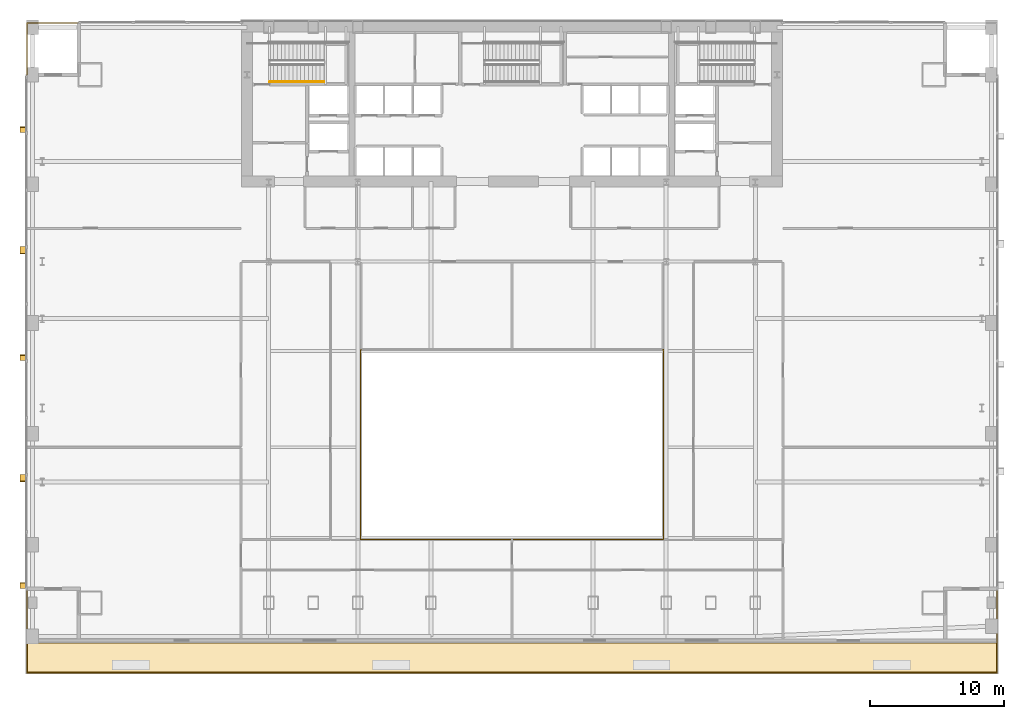
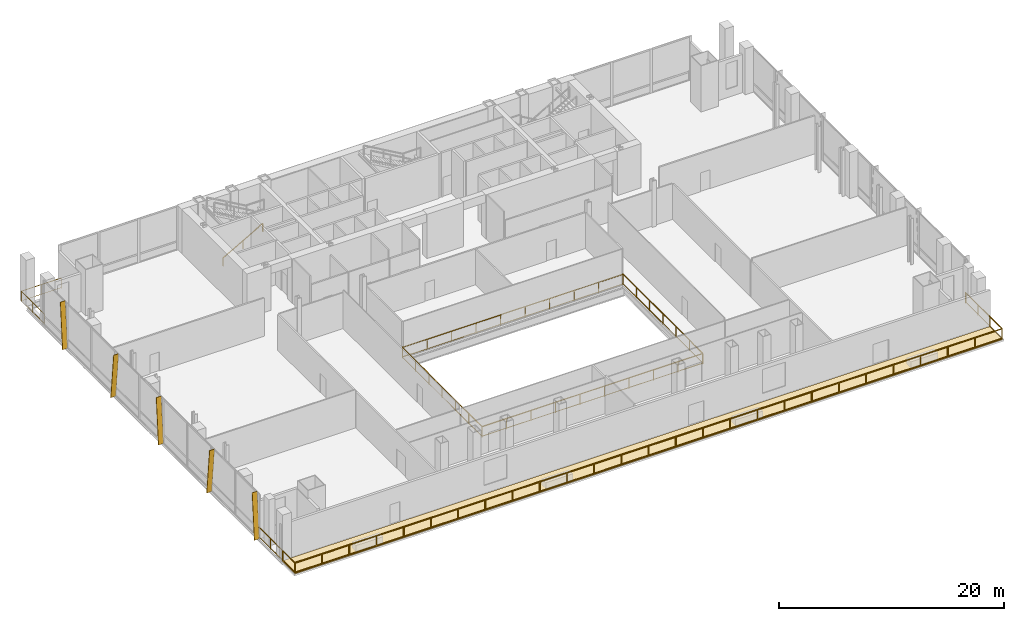
# One storey, part 24 of 26: 5 railings, 5 shading devices, 1 covering.
"""IFC4 building model written with IfcOpenShell, lengths in metres."""

from ifc_helpers import new_model, si_unit, direction, frame, origin, origin_2d, place, context, subcontext, project, spatial, polyline, rectangle, outline, extrude, material, layer, layer_set, type_object, element, save


model = new_model("IFC4")

# Units and contexts
model_context = context("Model", 3, precision=1e-05, world=origin(), true_north=direction((0.0, 1.0)))
body_context = subcontext(model_context, "Body", "Model", "MODEL_VIEW")
ifc_project = project(units=[si_unit("LENGTHUNIT", "METRE"), si_unit("AREAUNIT", "SQUARE_METRE"), si_unit("VOLUMEUNIT", "CUBIC_METRE"), si_unit("PLANEANGLEUNIT", "RADIAN"), si_unit("MASSUNIT", "GRAM", prefix="KILO")], contexts=[model_context])

# Site, building, storey
site_placement = place(None, origin())
site = spatial("IfcSite", under=ifc_project, at=site_placement, CompositionType="ELEMENT")
building_placement = place(site_placement, origin())
building = spatial("IfcBuilding", under=site, at=building_placement, Name="Khoronbel Lancet Exchange", CompositionType="ELEMENT")
storey_placement = place(building_placement, frame((0.0, 0.0, 5.39990234375)))
storey = spatial("IfcBuildingStorey", under=building, at=storey_placement, Name="L01", CompositionType="ELEMENT", Elevation=5.39990234375)

# Covering
ifc_material_1 = material(Name="Standing-Seam Bronze & SBS Waterproofing Assembly", Category="aluminium")
ifc_layer_1 = layer(ifc_material_1, 0.080078125, Name="Standing-Seam Bronze & SBS Waterproofing Assembly")
ifc_layer_set_1 = layer_set([ifc_layer_1], Name="Standing-Seam Bronze & SBS Waterproofing Assembly")
covering_type = type_object("IfcCoveringType", Name="COV-ROOF1", PredefinedType="ROOFING", material=ifc_layer_set_1)
covering_placement = place(storey_placement, frame((0.0, 0.0, -0.079833984375)))
element("IfcCovering", 1, at=covering_placement, inside=storey, type_object=covering_type, Name="Level L01 cascading terrace waterproofing and stone deck", PredefinedType="ROOFING", context=body_context, shape_type="SweptSolid", body=[
    extrude(outline(polyline([(0.10009765625, 4.85009765625), (72.800048828125, 4.85009765625), (72.800048828125, 7.14990234375), (0.10009765625, 7.14990234375), (0.10009765625, 4.85009765625)])), origin(), (0.0, 0.0, 1.0), 0.079833984375),
])

# Railings
ifc_material_2 = material(Name="Bronze-Anodised Stainless Steel", Category="steel")
railing_type_1 = type_object("IfcRailingType", Name="RL-EXT115", PredefinedType="GUARDRAIL", material=ifc_material_2)
railing_1_placement = place(storey_placement, frame((0.1201171875, 11.39990234375, 0.0)))
element("IfcRailing", 2, at=railing_1_placement, inside=storey, type_object=railing_type_1, Name="Level L01 cascading garden terrace and south corner loggia guardrail", PredefinedType="GUARDRAIL", context=body_context, shape_type="SweptSolid", body=[
    extrude(rectangle(XDim=0.052001953125, YDim=0.052001953125, at=origin_2d()), frame((0.0, 0.0, 1.1240234375), z_axis=(0.0, -1.0, 0.0), x_axis=(1.0, 0.0, 0.0)), (0.0, 0.0, 1.0), 6.47998046875),
    extrude(rectangle(XDim=0.02587890625, YDim=0.02587890625, at=origin_2d()), frame((0.0, 0.0, 0.080078125), z_axis=(0.0, -1.0, 0.0), x_axis=(1.0, 0.0, 0.0)), (0.0, 0.0, 1.0), 6.47998046875),
    extrude(rectangle(XDim=0.052001953125, YDim=0.052001953125, at=origin_2d()), frame((0.0, -6.47998046875, 1.1240234375), z_axis=(1.0, 0.0, 0.0), x_axis=(0.0, 1.0, 0.0)), (0.0, 0.0, 1.0), 72.659912109375),
    extrude(rectangle(XDim=0.02587890625, YDim=0.02587890625, at=origin_2d()), frame((0.0, -6.47998046875, 0.080078125), z_axis=(1.0, 0.0, 0.0), x_axis=(0.0, 1.0, 0.0)), (0.0, 0.0, 1.0), 72.659912109375),
    extrude(rectangle(XDim=0.052001953125, YDim=0.052001953125, at=origin_2d()), frame((72.659912109375, -6.47998046875, 1.1240234375), z_axis=(0.0, 1.0, 0.0), x_axis=(-1.0, 0.0, 0.0)), (0.0, 0.0, 1.0), 6.47998046875),
    extrude(rectangle(XDim=0.02587890625, YDim=0.02587890625, at=origin_2d()), frame((72.659912109375, -6.47998046875, 0.080078125), z_axis=(0.0, 1.0, 0.0), x_axis=(-1.0, 0.0, 0.0)), (0.0, 0.0, 1.0), 6.47998046875),
    extrude(rectangle(XDim=0.0419921875, YDim=0.0419921875, at=origin_2d()), origin(), (0.0, 0.0, 1.0), 1.097900390625),
    extrude(rectangle(XDim=0.0419921875, YDim=0.0419921875, at=origin_2d()), frame((0.0, -2.159912109375, 0.0)), (0.0, 0.0, 1.0), 1.097900390625),
    extrude(rectangle(XDim=0.0419921875, YDim=0.0419921875, at=origin_2d()), frame((0.0, -4.320068359375, 0.0)), (0.0, 0.0, 1.0), 1.097900390625),
    extrude(rectangle(XDim=0.0419921875, YDim=0.0419921875, at=origin_2d()), frame((0.0, -6.47998046875, 0.0)), (0.0, 0.0, 1.0), 1.097900390625),
    extrude(rectangle(XDim=0.0419921875, YDim=0.0419921875, at=origin_2d()), frame((2.794677734375, -6.47998046875, 0.0)), (0.0, 0.0, 1.0), 1.097900390625),
    extrude(rectangle(XDim=0.0419921875, YDim=0.0419921875, at=origin_2d()), frame((5.589111328125, -6.47998046875, 0.0)), (0.0, 0.0, 1.0), 1.097900390625),
    extrude(rectangle(XDim=0.0419921875, YDim=0.0419921875, at=origin_2d()), frame((8.3837890625, -6.47998046875, 0.0)), (0.0, 0.0, 1.0), 1.097900390625),
    extrude(rectangle(XDim=0.0419921875, YDim=0.0419921875, at=origin_2d()), frame((11.178466796875, -6.47998046875, 0.0)), (0.0, 0.0, 1.0), 1.097900390625),
    extrude(rectangle(XDim=0.0419921875, YDim=0.0419921875, at=origin_2d()), frame((13.97314453125, -6.47998046875, 0.0)), (0.0, 0.0, 1.0), 1.097900390625),
    extrude(rectangle(XDim=0.0419921875, YDim=0.0419921875, at=origin_2d()), frame((16.767578125, -6.47998046875, 0.0)), (0.0, 0.0, 1.0), 1.097900390625),
    extrude(rectangle(XDim=0.0419921875, YDim=0.0419921875, at=origin_2d()), frame((19.562255859375, -6.47998046875, 0.0)), (0.0, 0.0, 1.0), 1.097900390625),
    extrude(rectangle(XDim=0.0419921875, YDim=0.0419921875, at=origin_2d()), frame((22.35693359375, -6.47998046875, 0.0)), (0.0, 0.0, 1.0), 1.097900390625),
    extrude(rectangle(XDim=0.0419921875, YDim=0.0419921875, at=origin_2d()), frame((25.151611328125, -6.47998046875, 0.0)), (0.0, 0.0, 1.0), 1.097900390625),
    extrude(rectangle(XDim=0.0419921875, YDim=0.0419921875, at=origin_2d()), frame((27.946044921875, -6.47998046875, 0.0)), (0.0, 0.0, 1.0), 1.097900390625),
    extrude(rectangle(XDim=0.0419921875, YDim=0.0419921875, at=origin_2d()), frame((30.74072265625, -6.47998046875, 0.0)), (0.0, 0.0, 1.0), 1.097900390625),
    extrude(rectangle(XDim=0.0419921875, YDim=0.0419921875, at=origin_2d()), frame((33.535400390625, -6.47998046875, 0.0)), (0.0, 0.0, 1.0), 1.097900390625),
    extrude(rectangle(XDim=0.0419921875, YDim=0.0419921875, at=origin_2d()), frame((36.330078125, -6.47998046875, 0.0)), (0.0, 0.0, 1.0), 1.097900390625),
    extrude(rectangle(XDim=0.0419921875, YDim=0.0419921875, at=origin_2d()), frame((39.12451171875, -6.47998046875, 0.0)), (0.0, 0.0, 1.0), 1.097900390625),
    extrude(rectangle(XDim=0.0419921875, YDim=0.0419921875, at=origin_2d()), frame((41.919189453125, -6.47998046875, 0.0)), (0.0, 0.0, 1.0), 1.097900390625),
    extrude(rectangle(XDim=0.0419921875, YDim=0.0419921875, at=origin_2d()), frame((44.7138671875, -6.47998046875, 0.0)), (0.0, 0.0, 1.0), 1.097900390625),
    extrude(rectangle(XDim=0.0419921875, YDim=0.0419921875, at=origin_2d()), frame((47.50830078125, -6.47998046875, 0.0)), (0.0, 0.0, 1.0), 1.097900390625),
    extrude(rectangle(XDim=0.0419921875, YDim=0.0419921875, at=origin_2d()), frame((50.302978515625, -6.47998046875, 0.0)), (0.0, 0.0, 1.0), 1.097900390625),
    extrude(rectangle(XDim=0.0419921875, YDim=0.0419921875, at=origin_2d()), frame((53.09765625, -6.47998046875, 0.0)), (0.0, 0.0, 1.0), 1.097900390625),
    extrude(rectangle(XDim=0.0419921875, YDim=0.0419921875, at=origin_2d()), frame((55.892333984375, -6.47998046875, 0.0)), (0.0, 0.0, 1.0), 1.097900390625),
    extrude(rectangle(XDim=0.0419921875, YDim=0.0419921875, at=origin_2d()), frame((58.686767578125, -6.47998046875, 0.0)), (0.0, 0.0, 1.0), 1.097900390625),
    extrude(rectangle(XDim=0.0419921875, YDim=0.0419921875, at=origin_2d()), frame((61.4814453125, -6.47998046875, 0.0)), (0.0, 0.0, 1.0), 1.097900390625),
    extrude(rectangle(XDim=0.0419921875, YDim=0.0419921875, at=origin_2d()), frame((64.276123046875, -6.47998046875, 0.0)), (0.0, 0.0, 1.0), 1.097900390625),
    extrude(rectangle(XDim=0.0419921875, YDim=0.0419921875, at=origin_2d()), frame((67.07080078125, -6.47998046875, 0.0)), (0.0, 0.0, 1.0), 1.097900390625),
    extrude(rectangle(XDim=0.0419921875, YDim=0.0419921875, at=origin_2d()), frame((69.865234375, -6.47998046875, 0.0)), (0.0, 0.0, 1.0), 1.097900390625),
    extrude(rectangle(XDim=0.0419921875, YDim=0.0419921875, at=origin_2d()), frame((72.659912109375, -6.47998046875, 0.0)), (0.0, 0.0, 1.0), 1.097900390625),
    extrude(rectangle(XDim=0.0419921875, YDim=0.0419921875, at=origin_2d()), frame((72.659912109375, -4.320068359375, 0.0)), (0.0, 0.0, 1.0), 1.097900390625),
    extrude(rectangle(XDim=0.0419921875, YDim=0.0419921875, at=origin_2d()), frame((72.659912109375, -2.159912109375, 0.0)), (0.0, 0.0, 1.0), 1.097900390625),
    extrude(rectangle(XDim=0.0419921875, YDim=0.0419921875, at=origin_2d()), frame((72.659912109375, 0.0, 0.0)), (0.0, 0.0, 1.0), 1.097900390625),
])
railing_2_placement = place(storey_placement, frame((0.1201171875, 49.5, 0.0)))
element("IfcRailing", 3, at=railing_2_placement, inside=storey, type_object=railing_type_1, Name="Level L01 north-west colonnade corner loggia guardrail", PredefinedType="GUARDRAIL", context=body_context, shape_type="SweptSolid", body=[
    extrude(rectangle(XDim=0.052001953125, YDim=0.052001953125, at=origin_2d()), frame((0.0, 0.0, 1.1240234375), z_axis=(0.0, 1.0, 0.0), x_axis=(-1.0, 0.0, 0.0)), (0.0, 0.0, 1.0), 4.080078125),
    extrude(rectangle(XDim=0.02587890625, YDim=0.02587890625, at=origin_2d()), frame((0.0, 0.0, 0.080078125), z_axis=(0.0, 1.0, 0.0), x_axis=(-1.0, 0.0, 0.0)), (0.0, 0.0, 1.0), 4.080078125),
    extrude(rectangle(XDim=0.052001953125, YDim=0.052001953125, at=origin_2d()), frame((0.0, 4.080078125, 1.1240234375), z_axis=(1.0, 0.0, 0.0), x_axis=(0.0, 1.0, 0.0)), (0.0, 0.0, 1.0), 4.079833984375),
    extrude(rectangle(XDim=0.02587890625, YDim=0.02587890625, at=origin_2d()), frame((0.0, 4.080078125, 0.080078125), z_axis=(1.0, 0.0, 0.0), x_axis=(0.0, 1.0, 0.0)), (0.0, 0.0, 1.0), 4.079833984375),
    extrude(rectangle(XDim=0.0419921875, YDim=0.0419921875, at=origin_2d()), origin(), (0.0, 0.0, 1.0), 1.097900390625),
    extrude(rectangle(XDim=0.0419921875, YDim=0.0419921875, at=origin_2d()), frame((0.0, 2.0400390625, 0.0)), (0.0, 0.0, 1.0), 1.097900390625),
    extrude(rectangle(XDim=0.0419921875, YDim=0.0419921875, at=origin_2d()), frame((0.0, 4.080078125, 0.0)), (0.0, 0.0, 1.0), 1.097900390625),
    extrude(rectangle(XDim=0.0419921875, YDim=0.0419921875, at=origin_2d()), frame((2.0400390625, 4.080078125, 0.0)), (0.0, 0.0, 1.0), 1.097900390625),
    extrude(rectangle(XDim=0.0419921875, YDim=0.0419921875, at=origin_2d()), frame((4.079833984375, 4.080078125, 0.0)), (0.0, 0.0, 1.0), 1.097900390625),
])
ifc_material_3 = material(Name="Laminated Glass & Bronze Balustrade", Category="glass")
railing_type_2 = type_object("IfcRailingType", Name="RL-INT115", PredefinedType="BALUSTRADE", material=ifc_material_3)
railing_3_placement = place(storey_placement, frame((25.10009765625, 29.06005859375, 0.0)))
element("IfcRailing", 4, at=railing_3_placement, inside=storey, type_object=railing_type_2, Name="Level L01 gallery void safety balustrade SW", PredefinedType="BALUSTRADE", context=body_context, shape_type="SweptSolid", body=[
    extrude(rectangle(XDim=0.052001953125, YDim=0.052001953125, at=origin_2d()), frame((0.0, 0.0, 1.1240234375), z_axis=(0.0, -1.0, 0.0), x_axis=(1.0, 0.0, 0.0)), (0.0, 0.0, 1.0), 14.16015625),
    extrude(rectangle(XDim=0.02587890625, YDim=0.02587890625, at=origin_2d()), frame((0.0, 0.0, 0.080078125), z_axis=(0.0, -1.0, 0.0), x_axis=(1.0, 0.0, 0.0)), (0.0, 0.0, 1.0), 14.16015625),
    extrude(rectangle(XDim=0.052001953125, YDim=0.052001953125, at=origin_2d()), frame((0.0, -14.16015625, 1.1240234375), z_axis=(1.0, 0.0, 0.0), x_axis=(0.0, 1.0, 0.0)), (0.0, 0.0, 1.0), 22.659912109375),
    extrude(rectangle(XDim=0.02587890625, YDim=0.02587890625, at=origin_2d()), frame((0.0, -14.16015625, 0.080078125), z_axis=(1.0, 0.0, 0.0), x_axis=(0.0, 1.0, 0.0)), (0.0, 0.0, 1.0), 22.659912109375),
    extrude(rectangle(XDim=0.0419921875, YDim=0.0419921875, at=origin_2d()), origin(), (0.0, 0.0, 1.0), 1.097900390625),
    extrude(rectangle(XDim=0.0419921875, YDim=0.0419921875, at=origin_2d()), frame((0.0, -2.360107421875, 0.0)), (0.0, 0.0, 1.0), 1.097900390625),
    extrude(rectangle(XDim=0.0419921875, YDim=0.0419921875, at=origin_2d()), frame((0.0, -4.719970703125, 0.0)), (0.0, 0.0, 1.0), 1.097900390625),
    extrude(rectangle(XDim=0.0419921875, YDim=0.0419921875, at=origin_2d()), frame((0.0, -7.080078125, 0.0)), (0.0, 0.0, 1.0), 1.097900390625),
    extrude(rectangle(XDim=0.0419921875, YDim=0.0419921875, at=origin_2d()), frame((0.0, -9.440185546875, 0.0)), (0.0, 0.0, 1.0), 1.097900390625),
    extrude(rectangle(XDim=0.0419921875, YDim=0.0419921875, at=origin_2d()), frame((0.0, -11.800048828125, 0.0)), (0.0, 0.0, 1.0), 1.097900390625),
    extrude(rectangle(XDim=0.0419921875, YDim=0.0419921875, at=origin_2d()), frame((0.0, -14.16015625, 0.0)), (0.0, 0.0, 1.0), 1.097900390625),
    extrude(rectangle(XDim=0.0419921875, YDim=0.0419921875, at=origin_2d()), frame((2.517822265625, -14.16015625, 0.0)), (0.0, 0.0, 1.0), 1.097900390625),
    extrude(rectangle(XDim=0.0419921875, YDim=0.0419921875, at=origin_2d()), frame((5.03564453125, -14.16015625, 0.0)), (0.0, 0.0, 1.0), 1.097900390625),
    extrude(rectangle(XDim=0.0419921875, YDim=0.0419921875, at=origin_2d()), frame((7.55322265625, -14.16015625, 0.0)), (0.0, 0.0, 1.0), 1.097900390625),
    extrude(rectangle(XDim=0.0419921875, YDim=0.0419921875, at=origin_2d()), frame((10.071044921875, -14.16015625, 0.0)), (0.0, 0.0, 1.0), 1.097900390625),
    extrude(rectangle(XDim=0.0419921875, YDim=0.0419921875, at=origin_2d()), frame((12.5888671875, -14.16015625, 0.0)), (0.0, 0.0, 1.0), 1.097900390625),
    extrude(rectangle(XDim=0.0419921875, YDim=0.0419921875, at=origin_2d()), frame((15.106689453125, -14.16015625, 0.0)), (0.0, 0.0, 1.0), 1.097900390625),
    extrude(rectangle(XDim=0.0419921875, YDim=0.0419921875, at=origin_2d()), frame((17.624267578125, -14.16015625, 0.0)), (0.0, 0.0, 1.0), 1.097900390625),
    extrude(rectangle(XDim=0.0419921875, YDim=0.0419921875, at=origin_2d()), frame((20.14208984375, -14.16015625, 0.0)), (0.0, 0.0, 1.0), 1.097900390625),
    extrude(rectangle(XDim=0.0419921875, YDim=0.0419921875, at=origin_2d()), frame((22.659912109375, -14.16015625, 0.0)), (0.0, 0.0, 1.0), 1.097900390625),
])
railing_4_placement = place(storey_placement, frame((25.139892578125, 29.10009765625, 0.0)))
element("IfcRailing", 5, at=railing_4_placement, inside=storey, type_object=railing_type_2, Name="Level L01 gallery void safety balustrade NE", PredefinedType="BALUSTRADE", context=body_context, shape_type="SweptSolid", body=[
    extrude(rectangle(XDim=0.052001953125, YDim=0.052001953125, at=origin_2d()), frame((0.0, 0.0, 1.1240234375), z_axis=(1.0, 0.0, 0.0), x_axis=(0.0, 1.0, 0.0)), (0.0, 0.0, 1.0), 22.66015625),
    extrude(rectangle(XDim=0.02587890625, YDim=0.02587890625, at=origin_2d()), frame((0.0, 0.0, 0.080078125), z_axis=(1.0, 0.0, 0.0), x_axis=(0.0, 1.0, 0.0)), (0.0, 0.0, 1.0), 22.66015625),
    extrude(rectangle(XDim=0.052001953125, YDim=0.052001953125, at=origin_2d()), frame((22.66015625, 0.0, 1.1240234375), z_axis=(0.0, -1.0, 0.0), x_axis=(1.0, 0.0, 0.0)), (0.0, 0.0, 1.0), 14.16015625),
    extrude(rectangle(XDim=0.02587890625, YDim=0.02587890625, at=origin_2d()), frame((22.66015625, 0.0, 0.080078125), z_axis=(0.0, -1.0, 0.0), x_axis=(1.0, 0.0, 0.0)), (0.0, 0.0, 1.0), 14.16015625),
    extrude(rectangle(XDim=0.0419921875, YDim=0.0419921875, at=origin_2d()), origin(), (0.0, 0.0, 1.0), 1.097900390625),
    extrude(rectangle(XDim=0.0419921875, YDim=0.0419921875, at=origin_2d()), frame((2.517822265625, 0.0, 0.0)), (0.0, 0.0, 1.0), 1.097900390625),
    extrude(rectangle(XDim=0.0419921875, YDim=0.0419921875, at=origin_2d()), frame((5.03564453125, 0.0, 0.0)), (0.0, 0.0, 1.0), 1.097900390625),
    extrude(rectangle(XDim=0.0419921875, YDim=0.0419921875, at=origin_2d()), frame((7.553466796875, 0.0, 0.0)), (0.0, 0.0, 1.0), 1.097900390625),
    extrude(rectangle(XDim=0.0419921875, YDim=0.0419921875, at=origin_2d()), frame((10.0712890625, 0.0, 0.0)), (0.0, 0.0, 1.0), 1.097900390625),
    extrude(rectangle(XDim=0.0419921875, YDim=0.0419921875, at=origin_2d()), frame((12.5888671875, 0.0, 0.0)), (0.0, 0.0, 1.0), 1.097900390625),
    extrude(rectangle(XDim=0.0419921875, YDim=0.0419921875, at=origin_2d()), frame((15.106689453125, 0.0, 0.0)), (0.0, 0.0, 1.0), 1.097900390625),
    extrude(rectangle(XDim=0.0419921875, YDim=0.0419921875, at=origin_2d()), frame((17.62451171875, 0.0, 0.0)), (0.0, 0.0, 1.0), 1.097900390625),
    extrude(rectangle(XDim=0.0419921875, YDim=0.0419921875, at=origin_2d()), frame((20.142333984375, 0.0, 0.0)), (0.0, 0.0, 1.0), 1.097900390625),
    extrude(rectangle(XDim=0.0419921875, YDim=0.0419921875, at=origin_2d()), frame((22.66015625, 0.0, 0.0)), (0.0, 0.0, 1.0), 1.097900390625),
    extrude(rectangle(XDim=0.0419921875, YDim=0.0419921875, at=origin_2d()), frame((22.66015625, -2.360107421875, 0.0)), (0.0, 0.0, 1.0), 1.097900390625),
    extrude(rectangle(XDim=0.0419921875, YDim=0.0419921875, at=origin_2d()), frame((22.66015625, -4.719970703125, 0.0)), (0.0, 0.0, 1.0), 1.097900390625),
    extrude(rectangle(XDim=0.0419921875, YDim=0.0419921875, at=origin_2d()), frame((22.66015625, -7.080078125, 0.0)), (0.0, 0.0, 1.0), 1.097900390625),
    extrude(rectangle(XDim=0.0419921875, YDim=0.0419921875, at=origin_2d()), frame((22.66015625, -9.440185546875, 0.0)), (0.0, 0.0, 1.0), 1.097900390625),
    extrude(rectangle(XDim=0.0419921875, YDim=0.0419921875, at=origin_2d()), frame((22.66015625, -11.800048828125, 0.0)), (0.0, 0.0, 1.0), 1.097900390625),
    extrude(rectangle(XDim=0.0419921875, YDim=0.0419921875, at=origin_2d()), frame((22.66015625, -14.16015625, 0.0)), (0.0, 0.0, 1.0), 1.097900390625),
])
ifc_material_4 = material(Name="Brushed Stainless Steel 316", Category="steel")
railing_type_3 = type_object("IfcRailingType", Name="RL-STH92", PredefinedType="HANDRAIL", material=ifc_material_4)
railing_5_placement = place(storey_placement, frame((18.300048828125, 49.169921875, 0.166748046875)))
element("IfcRailing", 6, at=railing_5_placement, inside=storey, type_object=railing_type_3, Name="L01 ST1 stair handrail 1", PredefinedType="HANDRAIL", context=body_context, shape_type="SweptSolid", body=[
    extrude(rectangle(XDim=0.048095703125, YDim=0.048095703125, at=origin_2d()), frame((0.0, 0.0, 0.8759765625), z_axis=(0.867024558463, 0.0, 0.498265406207), x_axis=(0.0, 1.0, 0.0)), (0.0, 0.0, 1.0), 4.682861328125),
    extrude(rectangle(XDim=0.0419921875, YDim=0.0419921875, at=origin_2d()), origin(), (0.0, 0.0, 1.0), 0.851806640625),
    extrude(rectangle(XDim=0.0419921875, YDim=0.0419921875, at=origin_2d()), frame((2.030029296875, 0.0, 1.16650390625)), (0.0, 0.0, 1.0), 0.851806640625),
    extrude(rectangle(XDim=0.0419921875, YDim=0.0419921875, at=origin_2d()), frame((4.06005859375, 0.0, 2.333251953125)), (0.0, 0.0, 1.0), 0.851806640625),
])

# Shading devices
ifc_material_5 = material(Name="Bronze-Anodised Aluminium 6063-T6", Category="aluminium")
ifc_layer_2 = layer(ifc_material_5, 0.054931640625, Name="Bronze-Anodised Aluminium 6063-T6")
ifc_layer_set_2 = layer_set([ifc_layer_2], Name="Bronze-Anodised Aluminium 6063-T6")
shading_device_type = type_object("IfcShadingDeviceType", Name="SHD-FIN1", PredefinedType="USERDEFINED", material=ifc_layer_set_2)
shading_device_1_placement = place(storey_placement, frame((0.1201171875, 45.36083984375, -0.079833984375), z_axis=(0.0, -0.996792274735, 0.080032249927), x_axis=(-1.0, 0.0, 0.0)))
element("IfcShadingDevice", 7, at=shading_device_1_placement, inside=storey, type_object=shading_device_type, Name="Slanted bronze solar fin CW-L01-WEST-1", ObjectType="FIN", PredefinedType="USERDEFINED", context=body_context, shape_type="SweptSolid", body=[
    extrude(outline(polyline([(0.0, 0.0), (0.52001953125, 0.0), (0.52001953125, -4.935791015625), (0.0, -4.935791015625), (0.0, 0.0)])), origin(), (0.0, 0.0, -1.0), 0.054931640625),
])
shading_device_2_placement = place(storey_placement, frame((0.1201171875, 36.827392578125, -0.079833984375), z_axis=(0.0, 0.994775784516, 0.102083977887), x_axis=(-1.0, 0.0, 0.0)))
element("IfcShadingDevice", 8, at=shading_device_2_placement, inside=storey, type_object=shading_device_type, Name="Slanted bronze solar fin CW-L01-WEST-3", ObjectType="FIN", PredefinedType="USERDEFINED", context=body_context, shape_type="SweptSolid", body=[
    extrude(outline(polyline([(0.0, 0.0), (0.52001953125, 0.0), (0.52001953125, 4.94580078125), (0.0, 4.94580078125), (0.0, 0.0)])), origin(), (0.0, 0.0, -1.0), 0.054931640625),
])
shading_device_3_placement = place(storey_placement, frame((0.1201171875, 28.294189453125, -0.079833984375), z_axis=(0.0, -0.996792274735, 0.080032249927), x_axis=(-1.0, 0.0, 0.0)))
element("IfcShadingDevice", 9, at=shading_device_3_placement, inside=storey, type_object=shading_device_type, Name="Slanted bronze solar fin CW-L01-WEST-5", ObjectType="FIN", PredefinedType="USERDEFINED", context=body_context, shape_type="SweptSolid", body=[
    extrude(outline(polyline([(0.0, 0.0), (0.52001953125, 0.0), (0.52001953125, -4.935791015625), (0.0, -4.935791015625), (0.0, 0.0)])), origin(), (0.0, 0.0, -1.0), 0.054931640625),
])
shading_device_4_placement = place(storey_placement, frame((0.1201171875, 19.7607421875, -0.079833984375), z_axis=(0.0, 0.994775784516, 0.102083977887), x_axis=(-1.0, 0.0, 0.0)))
element("IfcShadingDevice", 10, at=shading_device_4_placement, inside=storey, type_object=shading_device_type, Name="Slanted bronze solar fin CW-L01-WEST-7", ObjectType="FIN", PredefinedType="USERDEFINED", context=body_context, shape_type="SweptSolid", body=[
    extrude(outline(polyline([(0.0, 0.0), (0.52001953125, 0.0), (0.52001953125, 4.94580078125), (0.0, 4.94580078125), (0.0, 0.0)])), origin(), (0.0, 0.0, -1.0), 0.054931640625),
])
shading_device_5_placement = place(storey_placement, frame((0.1201171875, 11.2275390625, -0.079833984375), z_axis=(0.0, -0.996792274735, 0.080032249927), x_axis=(-1.0, 0.0, 0.0)))
element("IfcShadingDevice", 11, at=shading_device_5_placement, inside=storey, type_object=shading_device_type, Name="Slanted bronze solar fin CW-L01-WEST-9", ObjectType="FIN", PredefinedType="USERDEFINED", context=body_context, shape_type="SweptSolid", body=[
    extrude(outline(polyline([(0.0, 0.0), (0.52001953125, 0.0), (0.52001953125, -4.935791015625), (0.0, -4.935791015625), (0.0, 0.0)])), origin(), (0.0, 0.0, -1.0), 0.054931640625),
])

save(model, "model.ifc")
